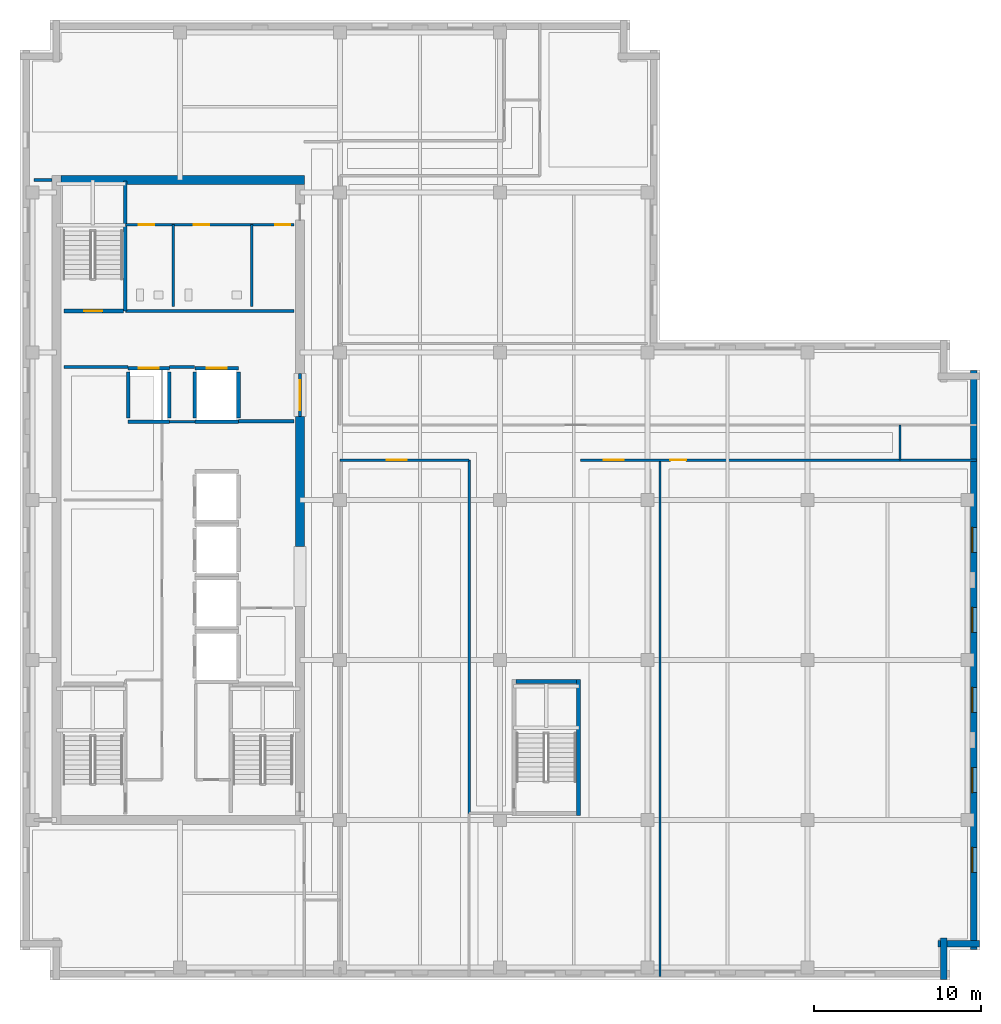
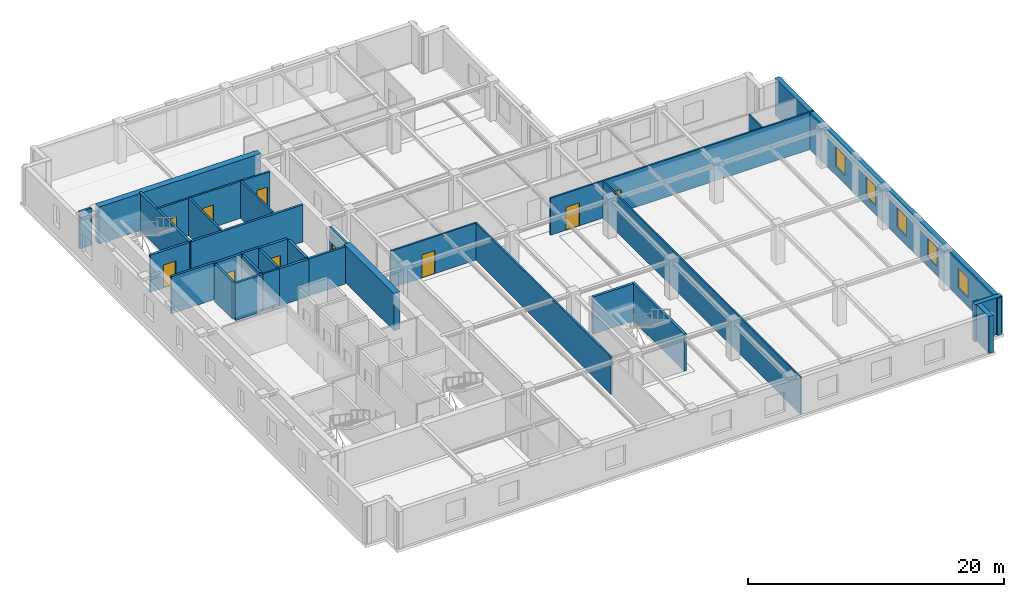
# One storey, part 5 of 12: 32 walls, 10 doors, 5 windows, 15 openings.
"""IFC4 building model written with IfcOpenShell, lengths in metres."""

import ifcopenshell
import ifcopenshell.guid

model = None  # the IFC model being written
_history = None  # IfcOwnerHistory: only IFC2X3 demands one
_inside = {}  # id of a spatial element -> (the spatial element, [elements in it])
_under = {}  # id of a project, library or spatial element -> (it, [spatial elements below it])
_declared = {}  # id of a project -> (the project, [libraries it declares])
_typed = {}  # id of a type object -> (the type object, [elements of that type])
_made_of = {}  # id of a material, layer set ... -> (it, [elements and type objects made of it])


def new_model(schema):
    """Start an empty IFC model of exactly this schema.

    Asked for "IFC4X3", IfcOpenShell would pick the latest addendum, in which some entities
    have other attributes; the version numbers below select the first issue.
    IFC2X3 requires an IfcOwnerHistory on every rooted entity: one is made here for all.
    """
    global model, _history
    if schema == "IFC4X3":
        model = ifcopenshell.file(schema_version=(4, 3, 0, 0))
    else:
        model = ifcopenshell.file(schema=schema)
    _inside.clear()
    _under.clear()
    _declared.clear()
    _typed.clear()
    _made_of.clear()
    _history = None
    if model.schema == "IFC2X3":
        org = make("IfcOrganization", Name="unknown")
        user = make(
            "IfcPersonAndOrganization",
            ThePerson=make("IfcPerson", FamilyName="unknown"),
            TheOrganization=org,
        )
        app = make(
            "IfcApplication",
            ApplicationDeveloper=org,
            Version="unknown",
            ApplicationFullName="unknown",
            ApplicationIdentifier="unknown",
        )
        _history = make(
            "IfcOwnerHistory",
            OwningUser=user,
            OwningApplication=app,
            ChangeAction="ADDED",
            CreationDate=0,
        )
    return model


def make(cls, **values):
    """One entity of the class cls with the attributes given. An attribute that is None is left unset."""
    return model.create_entity(
        cls, **{name: value for name, value in values.items() if value is not None}
    )


def rooted(cls, **values):
    """An entity with a GlobalId (a new one), such as an element, a storey or a relation."""
    return make(cls, GlobalId=ifcopenshell.guid.new(), OwnerHistory=_history, **values)


def si_unit(unit_type, name, prefix=None):
    """IfcSIUnit, for example si_unit("LENGTHUNIT", "METRE", prefix="MILLI")."""
    return make("IfcSIUnit", UnitType=unit_type, Prefix=prefix, Name=name)


def assignment(units):
    """IfcUnitAssignment: the units of a project."""
    return None if units is None else make("IfcUnitAssignment", Units=units)


def point(xyz):
    """IfcCartesianPoint."""
    return None if xyz is None else make("IfcCartesianPoint", Coordinates=xyz)


def direction(xyz):
    """IfcDirection."""
    return None if xyz is None else make("IfcDirection", DirectionRatios=xyz)


def frame(location, z_axis=None, x_axis=None):
    """IfcAxis2Placement3D, a coordinate frame: its origin and axes. An axis left out is left unset."""
    return make(
        "IfcAxis2Placement3D",
        Location=point(location),
        Axis=direction(z_axis),
        RefDirection=direction(x_axis),
    )


def frame_2d(location, x_axis=None):
    """IfcAxis2Placement2D, a coordinate frame in the plane: its origin and x axis."""
    return make(
        "IfcAxis2Placement2D", Location=point(location), RefDirection=direction(x_axis)
    )


def origin():
    """The frame at (0, 0, 0) with its axes left unset."""
    return frame((0.0, 0.0, 0.0))


def place(relative_to, where):
    """IfcLocalPlacement: puts the frame where relative to a parent placement (None: the world)."""
    return make(
        "IfcLocalPlacement", PlacementRelTo=relative_to, RelativePlacement=where
    )


def context(
    kind, dimensions, precision=None, world=None, true_north=None, identifier=None
):
    """IfcGeometricRepresentationContext, for example the 3D "Model" context."""
    return make(
        "IfcGeometricRepresentationContext",
        ContextIdentifier=identifier,
        ContextType=kind,
        CoordinateSpaceDimension=dimensions,
        Precision=precision,
        WorldCoordinateSystem=world,
        TrueNorth=true_north,
    )


def subcontext(parent, identifier, kind, view, scale=None):
    """IfcGeometricRepresentationSubContext, for example "Body" below "Model"."""
    return make(
        "IfcGeometricRepresentationSubContext",
        ContextIdentifier=identifier,
        ContextType=kind,
        ParentContext=parent,
        TargetScale=scale,
        TargetView=view,
    )


def project(units=None, contexts=None):
    """IfcProject with its units and contexts."""
    return rooted(
        "IfcProject",
        Name="project",
        RepresentationContexts=contexts,
        UnitsInContext=assignment(units),
    )


def spatial(cls, under=None, at=None, **own):
    """A site, building, storey or space (cls), placed at a placement, below another one or the project."""
    s = rooted(cls, ObjectPlacement=at, **own)
    if under is not None:
        _under.setdefault(under.id(), (under, []))[1].append(s)
    return s


def profile(cls, at=None, kind="AREA", **sizes):
    """A parametric profile (cls). Its sizes go by their IFC names, for example OverallWidth=200.0."""
    return make(cls, ProfileType=kind, Position=at, **sizes)


def rectangle(**sizes):
    """IfcRectangleProfileDef."""
    return profile("IfcRectangleProfileDef", **sizes)


def extrude(swept, where, along, depth):
    """IfcExtrudedAreaSolid: the profile swept, set in the frame where, extruded along a direction by depth."""
    return make(
        "IfcExtrudedAreaSolid",
        SweptArea=swept,
        Position=where,
        ExtrudedDirection=direction(along),
        Depth=depth,
    )


def shape(context_of_items, identifier, shape_type, items):
    """IfcShapeRepresentation: the items that make up one representation, for example the "Body"."""
    return make(
        "IfcShapeRepresentation",
        ContextOfItems=context_of_items,
        RepresentationIdentifier=identifier,
        RepresentationType=shape_type,
        Items=items,
    )


def material(Name=None, Category=None):
    """IfcMaterial."""
    return make("IfcMaterial", Name=Name, Category=Category)


def layer(
    of_material, thickness, ventilated=None, Name=None, Category=None, Priority=None
):
    """IfcMaterialLayer: one layer of a wall or slab, of a material (None: an air gap)."""
    return make(
        "IfcMaterialLayer",
        Material=of_material,
        LayerThickness=thickness,
        IsVentilated=ventilated,
        Name=Name,
        Category=Category,
        Priority=Priority,
    )


def layer_set(layers, Name=None):
    """IfcMaterialLayerSet."""
    return make("IfcMaterialLayerSet", MaterialLayers=layers, LayerSetName=Name)


def made_of(thing, what):
    """Note that an element or type object is made of a material, layer set ...; save() writes the relation."""
    if what is not None:
        _made_of.setdefault(what.id(), (what, []))[1].append(thing)
    return thing


def type_object(cls, material=None, **own):
    """A type object (cls), such as IfcWallType, which elements share."""
    return made_of(rooted(cls, **own), material)


def element(
    cls,
    number,
    at=None,
    inside=None,
    cuts=None,
    type_object=None,
    material=None,
    context=None,
    identifier="Body",
    shape_type=None,
    held_by="IfcProductDefinitionShape",
    body=None,
    shapes=None,
    **own,
):
    """One element of the class cls, such as IfcWall. Its Tag is "e" and its number.

    at: its placement. inside: the storey or other place that contains it. cuts: it is an
    opening in that element (IfcRelVoidsElement). A single representation is given by context,
    identifier, shape_type and body (its items); several are given by shapes. held_by: the class
    of the entity that holds the representations. save() writes the other relations.
    """
    e = rooted(cls, Tag="e%d" % number, ObjectPlacement=at, **own)
    if body is not None:
        shapes = [shape(context, identifier, shape_type, body)]
    if shapes is not None:
        e.Representation = make(held_by, Representations=shapes)
    if inside is not None:
        _inside.setdefault(inside.id(), (inside, []))[1].append(e)
    if cuts is not None:
        rooted(
            "IfcRelVoidsElement", RelatingBuildingElement=cuts, RelatedOpeningElement=e
        )
    if type_object is not None:
        _typed.setdefault(type_object.id(), (type_object, []))[1].append(e)
    return made_of(e, material)


def fill(opening, filler):
    """IfcRelFillsElement: the door or window that sits in an opening."""
    return rooted(
        "IfcRelFillsElement",
        RelatingOpeningElement=opening,
        RelatedBuildingElement=filler,
    )


def aggregate(whole, parts):
    """IfcRelAggregates: a whole, such as a stair, and the parts it consists of."""
    return rooted("IfcRelAggregates", RelatingObject=whole, RelatedObjects=parts)


def save(model, path):
    """Write the relations noted so far, then the file.

    IfcRelAggregates (storeys below a building ...), IfcRelContainedInSpatialStructure (elements
    in a storey), IfcRelDefinesByType, IfcRelAssociatesMaterial and IfcRelDeclares: one each for
    every whole, place, type object, material and project.
    """
    for whole, parts in _under.values():
        aggregate(whole, parts)
    for where, things in _inside.values():
        rooted(
            "IfcRelContainedInSpatialStructure",
            RelatedElements=things,
            RelatingStructure=where,
        )
    for kind, things in _typed.values():
        rooted("IfcRelDefinesByType", RelatedObjects=things, RelatingType=kind)
    for what, things in _made_of.values():
        rooted("IfcRelAssociatesMaterial", RelatedObjects=things, RelatingMaterial=what)
    for by, libraries in _declared.values():
        rooted("IfcRelDeclares", RelatingContext=by, RelatedDefinitions=libraries)
    model.write(path)


model = new_model("IFC4")

# Units and contexts
model_context = context("Model", 3, precision=1e-05, world=origin(), true_north=direction((0.0, 1.0)))
body_context = subcontext(model_context, "Body", "Model", "MODEL_VIEW")
ifc_project = project(units=[si_unit("LENGTHUNIT", "METRE"), si_unit("AREAUNIT", "SQUARE_METRE"), si_unit("VOLUMEUNIT", "CUBIC_METRE"), si_unit("PLANEANGLEUNIT", "RADIAN"), si_unit("MASSUNIT", "GRAM", prefix="KILO")], contexts=[model_context])

# Site, building, storey
site_placement = place(None, origin())
site = spatial("IfcSite", under=ifc_project, at=site_placement, CompositionType="ELEMENT")
building_placement = place(site_placement, origin())
building = spatial("IfcBuilding", under=site, at=building_placement, Name="Norrvale University Quadrangle", CompositionType="ELEMENT")
storey_placement = place(building_placement, frame((0.0, 0.0, 237.0)))
storey = spatial("IfcBuildingStorey", under=building, at=storey_placement, Name="L60", CompositionType="ELEMENT", Elevation=237.0)

# Walls
ifc_material_1 = material(Name="Concrete C60/75", Category="concrete")
ifc_layer_1 = layer(ifc_material_1, 0.550048828125, Name="Concrete C60/75")
ifc_layer_set_1 = layer_set([ifc_layer_1], Name="Concrete C60/75")
wall_type_1 = type_object("IfcWallType", Name="Wall Core 550", PredefinedType="SHEAR", material=ifc_layer_set_1)
wall_1_placement = place(storey_placement, frame((2.47509765625, 48.0, 0.0), z_axis=(0.0, 0.0, 1.0), x_axis=(1.0, 0.0, 0.0)))
element("IfcWall", 1, at=wall_1_placement, inside=storey, type_object=wall_type_1, Name="Tower Core Shear Wall L60-N", PredefinedType="SHEAR", context=body_context, shape_type="SweptSolid", body=[
    extrude(rectangle(XDim=14.599853515625, YDim=0.550048828125, at=frame_2d((7.2998046875, 0.0))), origin(), (0.0, 0.0, 1.0), 3.5400390625),
])
wall_2_placement = place(storey_placement, frame((16.800048828125, 26.0, 0.0), z_axis=(0.0, 0.0, 1.0), x_axis=(0.0, 1.0, 0.0)))
element("IfcWall", 2, at=wall_2_placement, inside=storey, type_object=wall_type_1, Name="Tower Core Shear Wall L60-E2", PredefinedType="SHEAR", context=body_context, shape_type="SweptSolid", body=[
    extrude(rectangle(XDim=7.800048828125, YDim=0.550048828125, at=frame_2d((3.89990234375, 0.0))), origin(), (0.0, 0.0, 1.0), 3.5400390625),
])
ifc_material_2 = material(Name="Standard Academic Gypsum Partition")
ifc_layer_2 = layer(ifc_material_2, 0.125, Name="Standard Academic Gypsum Partition")
ifc_layer_set_2 = layer_set([ifc_layer_2], Name="Standard Academic Gypsum Partition")
wall_type_2 = type_object("IfcWallType", Name="Wall Gypsum Academic 125", PredefinedType="PARTITIONING", material=ifc_layer_set_2)
wall_3_placement = place(storey_placement, frame((38.39990234375, 0.219970703125, 0.0), z_axis=(0.0, 0.0, 1.0), x_axis=(0.0, 1.0, 0.0)))
element("IfcWall", 3, at=wall_3_placement, inside=storey, type_object=wall_type_2, Name="Interior Partition WL-L60-SEP2", PredefinedType="PARTITIONING", context=body_context, shape_type="SweptSolid", body=[
    extrude(rectangle(XDim=30.97998046875, YDim=0.125, at=frame_2d((15.489990234375, 0.0))), origin(), (0.0, 0.0, 1.0), 3.5400390625),
])
ifc_material_3 = material(Name="Fire-Rated Gypsum Stud Partition")
ifc_layer_3 = layer(ifc_material_3, 0.14990234375, Name="Fire-Rated Gypsum Stud Partition")
ifc_layer_set_3 = layer_set([ifc_layer_3], Name="Fire-Rated Gypsum Stud Partition")
wall_type_3 = type_object("IfcWallType", Name="Wall Gypsum Corridor 150", PredefinedType="PARTITIONING", material=ifc_layer_set_3)
wall_4_placement = place(storey_placement, frame((8.965087890625, 33.489990234375, 0.0), z_axis=(0.0, 0.0, 1.0), x_axis=(1.0, 0.0, 0.0)))
element("IfcWall", 4, at=wall_4_placement, inside=storey, type_object=wall_type_3, Name="Interior Partition WL-L60-LL3", PredefinedType="PARTITIONING", context=body_context, shape_type="SweptSolid", body=[
    extrude(rectangle(XDim=1.52001953125, YDim=0.14990234375, at=frame_2d((0.760009765625, 0.0))), origin(), (0.0, 0.0, 1.0), 3.5400390625),
])
wall_5_placement = place(storey_placement, frame((52.800048828125, 31.199951171875, 0.0), z_axis=(0.0, 0.0, 1.0), x_axis=(0.0, 1.0, 0.0)))
element("IfcWall", 5, at=wall_5_placement, inside=storey, type_object=wall_type_3, Name="Interior Partition WL-L60-CESP-E", PredefinedType="PARTITIONING", context=body_context, shape_type="SweptSolid", body=[
    extrude(rectangle(XDim=2.10009765625, YDim=0.14990234375, at=frame_2d((1.050048828125, 0.0))), origin(), (0.0, 0.0, 1.0), 3.5400390625),
])

# Wall, opening, door
wall_6_placement = place(storey_placement, frame((19.199951171875, 31.199951171875, 0.0), z_axis=(0.0, 0.0, 1.0), x_axis=(1.0, 0.0, 0.0)))
wall_6 = element("IfcWall", 6, at=wall_6_placement, inside=storey, type_object=wall_type_3, Name="Interior Partition WL-L60-SEW1", PredefinedType="PARTITIONING", context=body_context, shape_type="SweptSolid", body=[
    extrude(rectangle(XDim=7.75, YDim=0.14990234375, at=frame_2d((3.875, 0.0))), origin(), (0.0, 0.0, 1.0), 3.5400390625),
])
opening_1_placement = place(wall_6_placement, frame((2.800048828125, 0.0, 0.0)))
opening_1 = element("IfcOpeningElement", 7, at=opening_1_placement, cuts=wall_6, Name="Opening D05", PredefinedType="OPENING", context=body_context, shape_type="SweptSolid", body=[
    extrude(rectangle(XDim=1.199951171875, YDim=2.199951171875, at=frame_2d((0.60009765625, 1.10009765625))), frame((0.0, 0.0869140625, 0.0), z_axis=(0.0, -1.0, 0.0), x_axis=(1.0, 0.0, 0.0)), (0.0, 0.0, 1.0), 0.173828125),
])
ifc_material_4 = material(Name="Acoustic Oak Classroom Door", Category="wood")
door_type_1 = type_object("IfcDoorType", Name="Door Classroom 1200x2200", OperationType="NOTDEFINED", PredefinedType="DOOR", material=ifc_material_4)
door_1_placement = place(opening_1_placement, origin())
door_1 = element("IfcDoor", 8, at=door_1_placement, inside=storey, type_object=door_type_1, Name="Door Classroom 1200x2200 DR-L60-SE1", OperationType="SINGLE_SWING_LEFT", OverallHeight=2.199951171875, OverallWidth=1.199951171875, PredefinedType="DOOR", context=body_context, shape_type="SweptSolid", body=[
    extrude(rectangle(XDim=1.199951171875, YDim=2.199951171875, at=frame_2d((0.60009765625, 1.10009765625))), frame((0.0, 0.02490234375, 0.0), z_axis=(0.0, -1.0, 0.0), x_axis=(1.0, 0.0, 0.0)), (0.0, 0.0, 1.0), 0.050048828125),
])
fill(opening_1, door_1)

# Wall
wall_7_placement = place(storey_placement, frame((26.949951171875, 10.0, 0.0), z_axis=(0.0, 0.0, 1.0), x_axis=(0.0, 1.0, 0.0)))
element("IfcWall", 9, at=wall_7_placement, inside=storey, type_object=wall_type_3, Name="Interior Partition WL-L60-SEP1B", PredefinedType="PARTITIONING", context=body_context, shape_type="SweptSolid", body=[
    extrude(rectangle(XDim=21.199951171875, YDim=0.14990234375, at=frame_2d((10.60009765625, 0.0))), origin(), (0.0, 0.0, 1.0), 3.5400390625),
])

# Wall, openings, doors
wall_8_placement = place(storey_placement, frame((33.6201171875, 31.199951171875, 0.0), z_axis=(0.0, 0.0, 1.0), x_axis=(1.0, 0.0, 0.0)))
wall_8 = element("IfcWall", 10, at=wall_8_placement, inside=storey, type_object=wall_type_3, Name="Interior Partition WL-L60-SEW2", PredefinedType="PARTITIONING", context=body_context, shape_type="SweptSolid", body=[
    extrude(rectangle(XDim=23.759765625, YDim=0.14990234375, at=frame_2d((11.8798828125, 0.0))), origin(), (0.0, 0.0, 1.0), 3.5400390625),
])
opening_2_placement = place(wall_8_placement, frame((1.39990234375, 0.0, 0.0)))
opening_2 = element("IfcOpeningElement", 11, at=opening_2_placement, cuts=wall_8, Name="Opening D05", PredefinedType="OPENING", context=body_context, shape_type="SweptSolid", body=[
    extrude(rectangle(XDim=1.199951171875, YDim=2.199951171875, at=frame_2d((0.60009765625, 1.10009765625))), frame((0.0, 0.0869140625, 0.0), z_axis=(0.0, -1.0, 0.0), x_axis=(1.0, 0.0, 0.0)), (0.0, 0.0, 1.0), 0.173828125),
])
opening_3_placement = place(wall_8_placement, frame((5.39990234375, 0.0, 0.0)))
opening_3 = element("IfcOpeningElement", 12, at=opening_3_placement, cuts=wall_8, Name="Opening D07", PredefinedType="OPENING", context=body_context, shape_type="SweptSolid", body=[
    extrude(rectangle(XDim=0.949951171875, YDim=2.14990234375, at=frame_2d((0.47509765625, 1.074951171875))), frame((0.0, 0.0869140625, 0.0), z_axis=(0.0, -1.0, 0.0), x_axis=(1.0, 0.0, 0.0)), (0.0, 0.0, 1.0), 0.173828125),
])
door_2_placement = place(opening_2_placement, origin())
door_2 = element("IfcDoor", 13, at=door_2_placement, inside=storey, type_object=door_type_1, Name="Door Classroom 1200x2200 DR-L60-SE2", OperationType="SINGLE_SWING_RIGHT", OverallHeight=2.199951171875, OverallWidth=1.199951171875, PredefinedType="DOOR", context=body_context, shape_type="SweptSolid", body=[
    extrude(rectangle(XDim=1.199951171875, YDim=2.199951171875, at=frame_2d((0.60009765625, 1.10009765625))), frame((0.0, 0.02490234375, 0.0), z_axis=(0.0, -1.0, 0.0), x_axis=(1.0, 0.0, 0.0)), (0.0, 0.0, 1.0), 0.050048828125),
])
fill(opening_2, door_2)
ifc_material_5 = material(Name="Solid-Core Maple Door", Category="wood")
door_type_2 = type_object("IfcDoorType", Name="Door Office 950x2150", OperationType="NOTDEFINED", PredefinedType="DOOR", material=ifc_material_5)
door_3_placement = place(opening_3_placement, origin())
door_3 = element("IfcDoor", 14, at=door_3_placement, inside=storey, type_object=door_type_2, Name="Door Office 950x2150 DR-L60-SE3", OperationType="SINGLE_SWING_LEFT", OverallHeight=2.14990234375, OverallWidth=0.949951171875, PredefinedType="DOOR", context=body_context, shape_type="SweptSolid", body=[
    extrude(rectangle(XDim=0.949951171875, YDim=2.14990234375, at=frame_2d((0.47509765625, 1.074951171875))), frame((0.0, 0.02490234375, 0.0), z_axis=(0.0, -1.0, 0.0), x_axis=(1.0, 0.0, 0.0)), (0.0, 0.0, 1.0), 0.050048828125),
])
fill(opening_3, door_3)

ifc_material_6 = material(Name="Sanitary Chase Gypsum Partition")
ifc_layer_4 = layer(ifc_material_6, 0.1650390625, Name="Sanitary Chase Gypsum Partition")
ifc_layer_set_4 = layer_set([ifc_layer_4], Name="Sanitary Chase Gypsum Partition")
wall_type_4 = type_object("IfcWallType", Name="Wall Gypsum Sanitary 165", PredefinedType="PLUMBINGWALL", material=ifc_layer_set_4)
wall_9_placement = place(storey_placement, frame((6.320068359375, 45.320068359375, 0.0), z_axis=(0.0, 0.0, 1.0), x_axis=(1.0, 0.0, 0.0)))
wall_9 = element("IfcWall", 15, at=wall_9_placement, inside=storey, type_object=wall_type_4, Name="Interior Partition WL-L60-WCN", PredefinedType="PLUMBINGWALL", context=body_context, shape_type="SweptSolid", body=[
    extrude(rectangle(XDim=10.1298828125, YDim=0.1650390625, at=frame_2d((5.06494140625, 0.0))), origin(), (0.0, 0.0, 1.0), 3.5400390625),
])
opening_4_placement = place(wall_9_placement, frame((0.800048828125, 0.0, 0.0)))
opening_4 = element("IfcOpeningElement", 16, at=opening_4_placement, cuts=wall_9, Name="Opening D08", PredefinedType="OPENING", context=body_context, shape_type="SweptSolid", body=[
    extrude(rectangle(XDim=0.919921875, YDim=2.14990234375, at=frame_2d((0.4599609375, 1.074951171875))), frame((0.0, 0.094482421875, 0.0), z_axis=(0.0, -1.0, 0.0), x_axis=(1.0, 0.0, 0.0)), (0.0, 0.0, 1.0), 0.18896484375),
])
opening_5_placement = place(wall_9_placement, frame((4.10009765625, 0.0, 0.0)))
opening_5 = element("IfcOpeningElement", 17, at=opening_5_placement, cuts=wall_9, Name="Opening D08", PredefinedType="OPENING", context=body_context, shape_type="SweptSolid", body=[
    extrude(rectangle(XDim=0.919921875, YDim=2.14990234375, at=frame_2d((0.4599609375, 1.074951171875))), frame((0.0, 0.094482421875, 0.0), z_axis=(0.0, -1.0, 0.0), x_axis=(1.0, 0.0, 0.0)), (0.0, 0.0, 1.0), 0.18896484375),
])
opening_6_placement = place(wall_9_placement, frame((8.97998046875, 0.0, 0.0)))
opening_6 = element("IfcOpeningElement", 18, at=opening_6_placement, cuts=wall_9, Name="Opening D08", PredefinedType="OPENING", context=body_context, shape_type="SweptSolid", body=[
    extrude(rectangle(XDim=0.919921875, YDim=2.14990234375, at=frame_2d((0.4599609375, 1.074951171875))), frame((0.0, 0.094482421875, 0.0), z_axis=(0.0, -1.0, 0.0), x_axis=(1.0, 0.0, 0.0)), (0.0, 0.0, 1.0), 0.18896484375),
])
ifc_material_7 = material(Name="Laminate Washroom Door", Category="wood")
door_type_3 = type_object("IfcDoorType", Name="Door Washroom 920x2150", OperationType="NOTDEFINED", PredefinedType="DOOR", material=ifc_material_7)
door_4_placement = place(opening_4_placement, origin())
door_4 = element("IfcDoor", 19, at=door_4_placement, inside=storey, type_object=door_type_3, Name="Door Washroom 920x2150 DR-L60-WC1", OperationType="SINGLE_SWING_LEFT", OverallHeight=2.14990234375, OverallWidth=0.919921875, PredefinedType="DOOR", context=body_context, shape_type="SweptSolid", body=[
    extrude(rectangle(XDim=0.919921875, YDim=2.14990234375, at=frame_2d((0.4599609375, 1.074951171875))), frame((0.0, 0.02490234375, 0.0), z_axis=(0.0, -1.0, 0.0), x_axis=(1.0, 0.0, 0.0)), (0.0, 0.0, 1.0), 0.050048828125),
])
fill(opening_4, door_4)
door_5_placement = place(opening_5_placement, origin())
door_5 = element("IfcDoor", 20, at=door_5_placement, inside=storey, type_object=door_type_3, Name="Door Washroom 920x2150 DR-L60-WC2", OperationType="SINGLE_SWING_RIGHT", OverallHeight=2.14990234375, OverallWidth=0.919921875, PredefinedType="DOOR", context=body_context, shape_type="SweptSolid", body=[
    extrude(rectangle(XDim=0.919921875, YDim=2.14990234375, at=frame_2d((0.4599609375, 1.074951171875))), frame((0.0, 0.02490234375, 0.0), z_axis=(0.0, -1.0, 0.0), x_axis=(1.0, 0.0, 0.0)), (0.0, 0.0, 1.0), 0.050048828125),
])
fill(opening_5, door_5)
door_6_placement = place(opening_6_placement, origin())
door_6 = element("IfcDoor", 21, at=door_6_placement, inside=storey, type_object=door_type_3, Name="Door Washroom 920x2150 DR-L60-WC3", OperationType="SINGLE_SWING_LEFT", OverallHeight=2.14990234375, OverallWidth=0.919921875, PredefinedType="DOOR", context=body_context, shape_type="SweptSolid", body=[
    extrude(rectangle(XDim=0.919921875, YDim=2.14990234375, at=frame_2d((0.4599609375, 1.074951171875))), frame((0.0, 0.02490234375, 0.0), z_axis=(0.0, -1.0, 0.0), x_axis=(1.0, 0.0, 0.0)), (0.0, 0.0, 1.0), 0.050048828125),
])
fill(opening_6, door_6)

# Walls
for number, where, z_axis, x_axis, name in (
    (22, (9.199951171875, 40.39990234375, 0.0), (0.0, 0.0, 1.0), (0.0, 1.0, 0.0), "Interior Partition WL-L60-WCM1"),
    (23, (13.89990234375, 40.39990234375, 0.0), (0.0, 0.0, 1.0), (0.0, 1.0, 0.0), "Interior Partition WL-L60-WCM2"),
):
    element("IfcWall", number, at=place(storey_placement, frame(where, z_axis=z_axis, x_axis=x_axis)), inside=storey, type_object=wall_type_4, Name=name, PredefinedType="PLUMBINGWALL", context=body_context, shape_type="SweptSolid", body=[
        extrude(rectangle(XDim=4.920166015625, YDim=0.1650390625, at=frame_2d((2.4599609375, 0.0))), origin(), (0.0, 0.0, 1.0), 3.5400390625),
    ])
ifc_material_8 = material(Name="Concrete Blockwork 20 MPa Rated Wall", Category="masonry")
ifc_layer_5 = layer(ifc_material_8, 0.199951171875, Name="Concrete Blockwork 20 MPa Rated Wall")
ifc_layer_set_5 = layer_set([ifc_layer_5], Name="Concrete Blockwork 20 MPa Rated Wall")
wall_type_5 = type_object("IfcWallType", Name="Wall Lobby 200", PredefinedType="SOLIDWALL", material=ifc_layer_set_5)
wall_10_placement = place(storey_placement, frame((2.64990234375, 36.780029296875, 0.0), z_axis=(0.0, 0.0, 1.0), x_axis=(1.0, 0.0, 0.0)))
element("IfcWall", 24, at=wall_10_placement, inside=storey, type_object=wall_type_5, Name="Interior Partition WL-L60-FF1", PredefinedType="SOLIDWALL", context=body_context, shape_type="SweptSolid", body=[
    extrude(rectangle(XDim=3.830078125, YDim=0.199951171875, at=frame_2d((1.9150390625, 0.0))), origin(), (0.0, 0.0, 1.0), 3.5400390625),
])
wall_11_placement = place(storey_placement, frame((8.969970703125, 36.780029296875, 0.0), z_axis=(0.0, 0.0, 1.0), x_axis=(1.0, 0.0, 0.0)))
element("IfcWall", 25, at=wall_11_placement, inside=storey, type_object=wall_type_5, Name="Interior Partition WL-L60-FF2", PredefinedType="SOLIDWALL", context=body_context, shape_type="SweptSolid", body=[
    extrude(rectangle(XDim=1.510009765625, YDim=0.199951171875, at=frame_2d((0.7548828125, 0.0))), origin(), (0.0, 0.0, 1.0), 3.5400390625),
])
wall_12_placement = place(storey_placement, frame((13.1201171875, 33.52001953125, 0.0), z_axis=(0.0, 0.0, 1.0), x_axis=(1.0, 0.0, 0.0)))
element("IfcWall", 26, at=wall_12_placement, inside=storey, type_object=wall_type_5, Name="Interior Partition WL-L60-FF3", PredefinedType="SOLIDWALL", context=body_context, shape_type="SweptSolid", body=[
    extrude(rectangle(XDim=3.329833984375, YDim=0.199951171875, at=frame_2d((1.6650390625, 0.0))), origin(), (0.0, 0.0, 1.0), 3.5400390625),
])
wall_13_placement = place(storey_placement, frame((6.320068359375, 40.139892578125, 0.0), z_axis=(0.0, 0.0, 1.0), x_axis=(1.0, 0.0, 0.0)))
element("IfcWall", 27, at=wall_13_placement, inside=storey, type_object=wall_type_5, Name="Interior Partition WL-L60-FF4", PredefinedType="SOLIDWALL", context=body_context, shape_type="SweptSolid", body=[
    extrude(rectangle(XDim=10.1298828125, YDim=0.199951171875, at=frame_2d((5.06494140625, 0.0))), origin(), (0.0, 0.0, 1.0), 3.5400390625),
])

# Wall, opening, door
wall_14_placement = place(storey_placement, frame((16.800048828125, 33.800048828125, 0.0), z_axis=(0.0, 0.0, 1.0), x_axis=(0.0, 1.0, 0.0)))
wall_14 = element("IfcWall", 28, at=wall_14_placement, inside=storey, type_object=wall_type_5, Name="Interior Partition WL-L60-FFP", PredefinedType="SOLIDWALL", context=body_context, shape_type="SweptSolid", body=[
    extrude(rectangle(XDim=2.599853515625, YDim=0.199951171875, at=frame_2d((1.2998046875, 0.0))), origin(), (0.0, 0.0, 1.0), 3.5400390625),
])
opening_7_placement = place(wall_14_placement, frame((0.39990234375, 0.0, 0.0)))
opening_7 = element("IfcOpeningElement", 29, at=opening_7_placement, cuts=wall_14, Name="Opening D03", PredefinedType="OPENING", context=body_context, shape_type="SweptSolid", body=[
    extrude(rectangle(XDim=1.800048828125, YDim=2.199951171875, at=frame_2d((0.89990234375, 1.10009765625))), frame((0.0, 0.112060546875, 0.0), z_axis=(0.0, -1.0, 0.0), x_axis=(1.0, 0.0, 0.0)), (0.0, 0.0, 1.0), 0.223876953125),
])
ifc_material_9 = material(Name="Hollow Steel 350W Fire Door", Category="steel")
door_type_4 = type_object("IfcDoorType", Name="Door Fire Lobby 1800x2200", OperationType="DOUBLE_DOOR_SINGLE_SWING", PredefinedType="DOOR", material=ifc_material_9)
door_7_placement = place(opening_7_placement, origin())
door_7 = element("IfcDoor", 30, at=door_7_placement, inside=storey, type_object=door_type_4, Name="Door Fire Lobby 1800x2200 DR-L60-FFP", OperationType="DOUBLE_DOOR_SINGLE_SWING", OverallHeight=2.199951171875, OverallWidth=1.800048828125, PredefinedType="DOOR", context=body_context, shape_type="SweptSolid", body=[
    extrude(rectangle(XDim=1.800048828125, YDim=2.199951171875, at=frame_2d((0.89990234375, 1.10009765625))), frame((0.0, 0.02490234375, 0.0), z_axis=(0.0, -1.0, 0.0), x_axis=(1.0, 0.0, 0.0)), (0.0, 0.0, 1.0), 0.050048828125),
])
fill(opening_7, door_7)

# Walls
wall_15_placement = place(storey_placement, frame((0.85009765625, 48.0, 0.0), z_axis=(0.0, 0.0, 1.0), x_axis=(1.0, 0.0, 0.0)))
element("IfcWall", 31, at=wall_15_placement, inside=storey, type_object=wall_type_5, Name="Interior Partition WL-L60-CWRET-N", PredefinedType="SOLIDWALL", context=body_context, shape_type="SweptSolid", body=[
    extrude(rectangle(XDim=1.06982421875, YDim=0.199951171875, at=frame_2d((0.534912109375, 0.0))), origin(), (0.0, 0.0, 1.0), 3.5400390625),
])
ifc_material_10 = material(Name="Red Manganese Brick Masonry", Category="masonry")
ifc_layer_6 = layer(ifc_material_10, 0.39990234375, Name="Red Manganese Brick Masonry")
ifc_layer_set_6 = layer_set([ifc_layer_6], Name="Red Manganese Brick Masonry")
wall_type_6 = type_object("IfcWallType", Name="Wall Red Brick 400", PredefinedType="SOLIDWALL", material=ifc_layer_set_6)
for number, where, z_axis, x_axis, name in (
    (32, (55.419921875, 0.0400390625, 0.0), (0.0, 0.0, 1.0), (0.0, 1.0, 0.0), "Exterior Brick Facade Wall L60-02.1"),
    (33, (55.080078125, 2.179931640625, 0.0), (0.0, 0.0, 1.0), (1.0, 0.0, 0.0), "Exterior Brick Facade Wall L60-03.1"),
):
    element("IfcWall", number, at=place(storey_placement, frame(where, z_axis=z_axis, x_axis=x_axis)), inside=storey, type_object=wall_type_6, Name=name, PredefinedType="SOLIDWALL", context=body_context, shape_type="SweptSolid", body=[
        extrude(rectangle(XDim=2.47998046875, YDim=0.39990234375, at=frame_2d((1.239990234375, 0.0))), origin(), (0.0, 0.0, 1.0), 3.5400390625),
    ])

# Wall, openings, windows
wall_16_placement = place(storey_placement, frame((57.219970703125, 1.840087890625, 0.0), z_axis=(0.0, 0.0, 1.0), x_axis=(0.0, 1.0, 0.0)))
wall_16 = element("IfcWall", 34, at=wall_16_placement, inside=storey, type_object=wall_type_6, Name="Exterior Brick Facade Wall L60-04.1", PredefinedType="SOLIDWALL", context=body_context, shape_type="SweptSolid", body=[
    extrude(rectangle(XDim=34.719970703125, YDim=0.39990234375, at=frame_2d((17.35986328125, 0.0))), origin(), (0.0, 0.0, 1.0), 3.5400390625),
])
opening_8_placement = place(wall_16_placement, frame((4.610107421875, 0.0, 0.85009765625)))
opening_8 = element("IfcOpeningElement", 35, at=opening_8_placement, cuts=wall_16, Name="Opening W03", PredefinedType="OPENING", context=body_context, shape_type="SweptSolid", body=[
    extrude(rectangle(XDim=1.5, YDim=1.85009765625, at=frame_2d((0.75, 0.925048828125))), frame((0.0, 0.2119140625, 0.0), z_axis=(0.0, -1.0, 0.0), x_axis=(1.0, 0.0, 0.0)), (0.0, 0.0, 1.0), 0.423828125),
])
opening_9_placement = place(wall_16_placement, frame((9.409912109375, 0.0, 0.85009765625)))
opening_9 = element("IfcOpeningElement", 36, at=opening_9_placement, cuts=wall_16, Name="Opening W03", PredefinedType="OPENING", context=body_context, shape_type="SweptSolid", body=[
    extrude(rectangle(XDim=1.5, YDim=1.85009765625, at=frame_2d((0.75, 0.925048828125))), frame((0.0, 0.2119140625, 0.0), z_axis=(0.0, -1.0, 0.0), x_axis=(1.0, 0.0, 0.0)), (0.0, 0.0, 1.0), 0.423828125),
])
opening_10_placement = place(wall_16_placement, frame((14.2099609375, 0.0, 0.85009765625)))
opening_10 = element("IfcOpeningElement", 37, at=opening_10_placement, cuts=wall_16, Name="Opening W03", PredefinedType="OPENING", context=body_context, shape_type="SweptSolid", body=[
    extrude(rectangle(XDim=1.5, YDim=1.85009765625, at=frame_2d((0.75, 0.925048828125))), frame((0.0, 0.2119140625, 0.0), z_axis=(0.0, -1.0, 0.0), x_axis=(1.0, 0.0, 0.0)), (0.0, 0.0, 1.0), 0.423828125),
])
opening_11_placement = place(wall_16_placement, frame((19.010009765625, 0.0, 0.85009765625)))
opening_11 = element("IfcOpeningElement", 38, at=opening_11_placement, cuts=wall_16, Name="Opening W03", PredefinedType="OPENING", context=body_context, shape_type="SweptSolid", body=[
    extrude(rectangle(XDim=1.5, YDim=1.85009765625, at=frame_2d((0.75, 0.925048828125))), frame((0.0, 0.2119140625, 0.0), z_axis=(0.0, -1.0, 0.0), x_axis=(1.0, 0.0, 0.0)), (0.0, 0.0, 1.0), 0.423828125),
])
opening_12_placement = place(wall_16_placement, frame((23.81005859375, 0.0, 0.85009765625)))
opening_12 = element("IfcOpeningElement", 39, at=opening_12_placement, cuts=wall_16, Name="Opening W03", PredefinedType="OPENING", context=body_context, shape_type="SweptSolid", body=[
    extrude(rectangle(XDim=1.5, YDim=1.85009765625, at=frame_2d((0.75, 0.925048828125))), frame((0.0, 0.2119140625, 0.0), z_axis=(0.0, -1.0, 0.0), x_axis=(1.0, 0.0, 0.0)), (0.0, 0.0, 1.0), 0.423828125),
])
ifc_material_11 = material(Name="Triple Low-E Argon Glazing", Category="glass")
window_type = type_object("IfcWindowType", Name="Window Studio 1500x2300", PartitioningType="DOUBLE_PANEL_VERTICAL", PredefinedType="WINDOW", material=ifc_material_11)
window_1_placement = place(opening_8_placement, origin())
window_1 = element("IfcWindow", 40, at=window_1_placement, inside=storey, type_object=window_type, Name="Window Studio 1500x2300 WIN-L60-E04-1-01", OverallHeight=1.85009765625, OverallWidth=1.5, PartitioningType="DOUBLE_PANEL_VERTICAL", PredefinedType="WINDOW", context=body_context, shape_type="SweptSolid", body=[
    extrude(rectangle(XDim=1.5, YDim=1.85009765625, at=frame_2d((0.75, 0.925048828125))), frame((0.0, 0.110107421875, 0.0), z_axis=(0.0, -1.0, 0.0), x_axis=(1.0, 0.0, 0.0)), (0.0, 0.0, 1.0), 0.06005859375),
])
fill(opening_8, window_1)
window_2_placement = place(opening_9_placement, origin())
window_2 = element("IfcWindow", 41, at=window_2_placement, inside=storey, type_object=window_type, Name="Window Studio 1500x2300 WIN-L60-E04-1-02", OverallHeight=1.85009765625, OverallWidth=1.5, PartitioningType="DOUBLE_PANEL_VERTICAL", PredefinedType="WINDOW", context=body_context, shape_type="SweptSolid", body=[
    extrude(rectangle(XDim=1.5, YDim=1.85009765625, at=frame_2d((0.75, 0.925048828125))), frame((0.0, 0.110107421875, 0.0), z_axis=(0.0, -1.0, 0.0), x_axis=(1.0, 0.0, 0.0)), (0.0, 0.0, 1.0), 0.06005859375),
])
fill(opening_9, window_2)
window_3_placement = place(opening_10_placement, origin())
window_3 = element("IfcWindow", 42, at=window_3_placement, inside=storey, type_object=window_type, Name="Window Studio 1500x2300 WIN-L60-E04-1-03", OverallHeight=1.85009765625, OverallWidth=1.5, PartitioningType="DOUBLE_PANEL_VERTICAL", PredefinedType="WINDOW", context=body_context, shape_type="SweptSolid", body=[
    extrude(rectangle(XDim=1.5, YDim=1.85009765625, at=frame_2d((0.75, 0.925048828125))), frame((0.0, 0.110107421875, 0.0), z_axis=(0.0, -1.0, 0.0), x_axis=(1.0, 0.0, 0.0)), (0.0, 0.0, 1.0), 0.06005859375),
])
fill(opening_10, window_3)
window_4_placement = place(opening_11_placement, origin())
window_4 = element("IfcWindow", 43, at=window_4_placement, inside=storey, type_object=window_type, Name="Window Studio 1500x2300 WIN-L60-E04-1-04", OverallHeight=1.85009765625, OverallWidth=1.5, PartitioningType="DOUBLE_PANEL_VERTICAL", PredefinedType="WINDOW", context=body_context, shape_type="SweptSolid", body=[
    extrude(rectangle(XDim=1.5, YDim=1.85009765625, at=frame_2d((0.75, 0.925048828125))), frame((0.0, 0.110107421875, 0.0), z_axis=(0.0, -1.0, 0.0), x_axis=(1.0, 0.0, 0.0)), (0.0, 0.0, 1.0), 0.06005859375),
])
fill(opening_11, window_4)
window_5_placement = place(opening_12_placement, origin())
window_5 = element("IfcWindow", 44, at=window_5_placement, inside=storey, type_object=window_type, Name="Window Studio 1500x2300 WIN-L60-E04-1-05", OverallHeight=1.85009765625, OverallWidth=1.5, PartitioningType="DOUBLE_PANEL_VERTICAL", PredefinedType="WINDOW", context=body_context, shape_type="SweptSolid", body=[
    extrude(rectangle(XDim=1.5, YDim=1.85009765625, at=frame_2d((0.75, 0.925048828125))), frame((0.0, 0.110107421875, 0.0), z_axis=(0.0, -1.0, 0.0), x_axis=(1.0, 0.0, 0.0)), (0.0, 0.0, 1.0), 0.06005859375),
])
fill(opening_12, window_5)

# Wall, opening, door
ifc_material_12 = material(Name="Concrete Blockwork 20 MPa Fire Shaft", Category="masonry")
ifc_layer_7 = layer(ifc_material_12, 0.219970703125, Name="Concrete Blockwork 20 MPa Fire Shaft")
ifc_layer_set_7 = layer_set([ifc_layer_7], Name="Concrete Blockwork 20 MPa Fire Shaft")
wall_type_7 = type_object("IfcWallType", Name="Wall Shaft 220", PredefinedType="SOLIDWALL", material=ifc_layer_set_7)
wall_17_placement = place(storey_placement, frame((2.64990234375, 40.139892578125, 0.0), z_axis=(0.0, 0.0, 1.0), x_axis=(1.0, 0.0, 0.0)))
wall_17 = element("IfcWall", 45, at=wall_17_placement, inside=storey, type_object=wall_type_7, Name="Stair ST-02 South Shaft Wall L60", PredefinedType="SOLIDWALL", context=body_context, shape_type="SweptSolid", body=[
    extrude(rectangle(XDim=3.550048828125, YDim=0.219970703125, at=frame_2d((1.77490234375, 0.0))), origin(), (0.0, 0.0, 1.0), 3.5400390625),
])
opening_13_placement = place(wall_17_placement, frame((1.199951171875, 0.0, 0.0)))
opening_13 = element("IfcOpeningElement", 46, at=opening_13_placement, cuts=wall_17, Name="Opening D02", PredefinedType="OPENING", context=body_context, shape_type="SweptSolid", body=[
    extrude(rectangle(XDim=1.10009765625, YDim=2.199951171875, at=frame_2d((0.550048828125, 1.10009765625))), frame((0.0, 0.1220703125, 0.0), z_axis=(0.0, -1.0, 0.0), x_axis=(1.0, 0.0, 0.0)), (0.0, 0.0, 1.0), 0.243896484375),
])
door_type_5 = type_object("IfcDoorType", Name="Door Stair Exit 1100x2200", OperationType="NOTDEFINED", PredefinedType="DOOR", material=ifc_material_9)
door_8_placement = place(opening_13_placement, origin())
door_8 = element("IfcDoor", 47, at=door_8_placement, inside=storey, type_object=door_type_5, Name="Door Stair Exit 1100x2200 DR-L60-ST02", OperationType="SINGLE_SWING_LEFT", OverallHeight=2.199951171875, OverallWidth=1.10009765625, PredefinedType="DOOR", context=body_context, shape_type="SweptSolid", body=[
    extrude(rectangle(XDim=1.10009765625, YDim=2.199951171875, at=frame_2d((0.550048828125, 1.10009765625))), frame((0.0, 0.02490234375, 0.0), z_axis=(0.0, -1.0, 0.0), x_axis=(1.0, 0.0, 0.0)), (0.0, 0.0, 1.0), 0.050048828125),
])
fill(opening_13, door_8)

# Walls
wall_18_placement = place(storey_placement, frame((6.31005859375, 40.139892578125, 0.0), z_axis=(0.0, 0.0, 1.0), x_axis=(0.0, 1.0, 0.0)))
element("IfcWall", 48, at=wall_18_placement, inside=storey, type_object=wall_type_7, Name="Stair ST-02 East Shaft Wall L60", PredefinedType="SOLIDWALL", context=body_context, shape_type="SweptSolid", body=[
    extrude(rectangle(XDim=7.81005859375, YDim=0.219970703125, at=frame_2d((3.905029296875, 0.0))), origin(), (0.0, 0.0, 1.0), 3.5400390625),
])
wall_19_placement = place(storey_placement, frame((33.510009765625, 9.8798828125, 0.0), z_axis=(0.0, 0.0, 1.0), x_axis=(0.0, 1.0, 0.0)))
element("IfcWall", 49, at=wall_19_placement, inside=storey, type_object=wall_type_7, Name="Stair ST-04 East Shaft Wall L60", PredefinedType="SOLIDWALL", context=body_context, shape_type="SweptSolid", body=[
    extrude(rectangle(XDim=8.14013671875, YDim=0.219970703125, at=frame_2d((4.070068359375, 0.0))), origin(), (0.0, 0.0, 1.0), 3.5400390625),
])
wall_20_placement = place(storey_placement, frame((29.75, 17.909912109375, 0.0), z_axis=(0.0, 0.0, 1.0), x_axis=(1.0, 0.0, 0.0)))
element("IfcWall", 50, at=wall_20_placement, inside=storey, type_object=wall_type_7, Name="Stair ST-04 North Shaft Wall L60", PredefinedType="SOLIDWALL", context=body_context, shape_type="SweptSolid", body=[
    extrude(rectangle(XDim=3.64990234375, YDim=0.219970703125, at=frame_2d((1.824951171875, 0.0))), origin(), (0.0, 0.0, 1.0), 3.5400390625),
])
for number, where, z_axis, x_axis, name in (
    (51, (6.489990234375, 33.7099609375, 0.0), (0.0, 0.0, 1.0), (0.0, 1.0, 0.0), "Hoistway FFL-01 West Wall L60"),
    (52, (8.9599609375, 33.7099609375, 0.0), (0.0, 0.0, 1.0), (0.0, 1.0, 0.0), "Hoistway FFL-01 East Wall L60"),
):
    element("IfcWall", number, at=place(storey_placement, frame(where, z_axis=z_axis, x_axis=x_axis)), inside=storey, type_object=wall_type_7, Name=name, PredefinedType="SOLIDWALL", context=body_context, shape_type="SweptSolid", body=[
        extrude(rectangle(XDim=2.780029296875, YDim=0.219970703125, at=frame_2d((1.39013671875, 0.0))), origin(), (0.0, 0.0, 1.0), 3.5400390625),
    ])
wall_21_placement = place(storey_placement, frame((6.489990234375, 33.489990234375, 0.0), z_axis=(0.0, 0.0, 1.0), x_axis=(1.0, 0.0, 0.0)))
element("IfcWall", 53, at=wall_21_placement, inside=storey, type_object=wall_type_7, Name="Hoistway FFL-01 South Wall L60", PredefinedType="SOLIDWALL", context=body_context, shape_type="SweptSolid", body=[
    extrude(rectangle(XDim=2.469970703125, YDim=0.219970703125, at=frame_2d((1.23486328125, 0.0))), origin(), (0.0, 0.0, 1.0), 3.5400390625),
])

# Wall, opening, door
wall_22_placement = place(storey_placement, frame((6.489990234375, 36.7099609375, 0.0), z_axis=(0.0, 0.0, 1.0), x_axis=(1.0, 0.0, 0.0)))
wall_22 = element("IfcWall", 54, at=wall_22_placement, inside=storey, type_object=wall_type_7, Name="Hoistway FFL-01 North Wall L60", PredefinedType="SOLIDWALL", context=body_context, shape_type="SweptSolid", body=[
    extrude(rectangle(XDim=2.469970703125, YDim=0.219970703125, at=frame_2d((1.23486328125, 0.0))), origin(), (0.0, 0.0, 1.0), 3.5400390625),
])
opening_14_placement = place(wall_22_placement, frame((0.635009765625, 0.0, 0.0)))
opening_14 = element("IfcOpeningElement", 55, at=opening_14_placement, cuts=wall_22, Name="Opening LD2", PredefinedType="OPENING", context=body_context, shape_type="SweptSolid", body=[
    extrude(rectangle(XDim=1.199951171875, YDim=2.199951171875, at=frame_2d((0.60009765625, 1.10009765625))), frame((0.0, 0.1220703125, 0.0), z_axis=(0.0, -1.0, 0.0), x_axis=(1.0, 0.0, 0.0)), (0.0, 0.0, 1.0), 0.243896484375),
])
ifc_material_13 = material(Name="Stainless Steel 316L Firefighter Lift Door", Category="steel")
door_type_6 = type_object("IfcDoorType", Name="Door Fire Lift 1200x2200", OperationType="DOUBLE_DOOR_SLIDING", PredefinedType="DOOR", material=ifc_material_13)
door_9_placement = place(opening_14_placement, origin())
door_9 = element("IfcDoor", 56, at=door_9_placement, inside=storey, type_object=door_type_6, Name="Elevator Landing Door DR-L60-FFL-01", OperationType="DOUBLE_DOOR_SLIDING", OverallHeight=2.199951171875, OverallWidth=1.199951171875, PredefinedType="DOOR", context=body_context, shape_type="SweptSolid", body=[
    extrude(rectangle(XDim=1.199951171875, YDim=2.199951171875, at=frame_2d((0.60009765625, 1.10009765625))), frame((0.0, 0.02490234375, 0.0), z_axis=(0.0, -1.0, 0.0), x_axis=(1.0, 0.0, 0.0)), (0.0, 0.0, 1.0), 0.050048828125),
])
fill(opening_14, door_9)

# Walls
for number, where, z_axis, x_axis, name in (
    (57, (10.489990234375, 33.7099609375, 0.0), (0.0, 0.0, 1.0), (0.0, 1.0, 0.0), "Hoistway FFL-02 West Wall L60"),
    (58, (13.110107421875, 33.7099609375, 0.0), (0.0, 0.0, 1.0), (0.0, 1.0, 0.0), "Hoistway FFL-02 East Wall L60"),
):
    element("IfcWall", number, at=place(storey_placement, frame(where, z_axis=z_axis, x_axis=x_axis)), inside=storey, type_object=wall_type_7, Name=name, PredefinedType="SOLIDWALL", context=body_context, shape_type="SweptSolid", body=[
        extrude(rectangle(XDim=2.780029296875, YDim=0.219970703125, at=frame_2d((1.39013671875, 0.0))), origin(), (0.0, 0.0, 1.0), 3.5400390625),
    ])
wall_23_placement = place(storey_placement, frame((10.489990234375, 33.489990234375, 0.0), z_axis=(0.0, 0.0, 1.0), x_axis=(1.0, 0.0, 0.0)))
element("IfcWall", 59, at=wall_23_placement, inside=storey, type_object=wall_type_7, Name="Hoistway FFL-02 South Wall L60", PredefinedType="SOLIDWALL", context=body_context, shape_type="SweptSolid", body=[
    extrude(rectangle(XDim=2.6201171875, YDim=0.219970703125, at=frame_2d((1.31005859375, 0.0))), origin(), (0.0, 0.0, 1.0), 3.5400390625),
])

# Wall, opening, door
wall_24_placement = place(storey_placement, frame((10.489990234375, 36.7099609375, 0.0), z_axis=(0.0, 0.0, 1.0), x_axis=(1.0, 0.0, 0.0)))
wall_24 = element("IfcWall", 60, at=wall_24_placement, inside=storey, type_object=wall_type_7, Name="Hoistway FFL-02 North Wall L60", PredefinedType="SOLIDWALL", context=body_context, shape_type="SweptSolid", body=[
    extrude(rectangle(XDim=2.6201171875, YDim=0.219970703125, at=frame_2d((1.31005859375, 0.0))), origin(), (0.0, 0.0, 1.0), 3.5400390625),
])
opening_15_placement = place(wall_24_placement, frame((0.7099609375, 0.0, 0.0)))
opening_15 = element("IfcOpeningElement", 61, at=opening_15_placement, cuts=wall_24, Name="Opening LD2", PredefinedType="OPENING", context=body_context, shape_type="SweptSolid", body=[
    extrude(rectangle(XDim=1.199951171875, YDim=2.199951171875, at=frame_2d((0.60009765625, 1.10009765625))), frame((0.0, 0.1220703125, 0.0), z_axis=(0.0, -1.0, 0.0), x_axis=(1.0, 0.0, 0.0)), (0.0, 0.0, 1.0), 0.243896484375),
])
door_10_placement = place(opening_15_placement, origin())
door_10 = element("IfcDoor", 62, at=door_10_placement, inside=storey, type_object=door_type_6, Name="Elevator Landing Door DR-L60-FFL-02", OperationType="DOUBLE_DOOR_SLIDING", OverallHeight=2.199951171875, OverallWidth=1.199951171875, PredefinedType="DOOR", context=body_context, shape_type="SweptSolid", body=[
    extrude(rectangle(XDim=1.199951171875, YDim=2.199951171875, at=frame_2d((0.60009765625, 1.10009765625))), frame((0.0, 0.02490234375, 0.0), z_axis=(0.0, -1.0, 0.0), x_axis=(1.0, 0.0, 0.0)), (0.0, 0.0, 1.0), 0.050048828125),
])
fill(opening_15, door_10)

save(model, "model.ifc")
